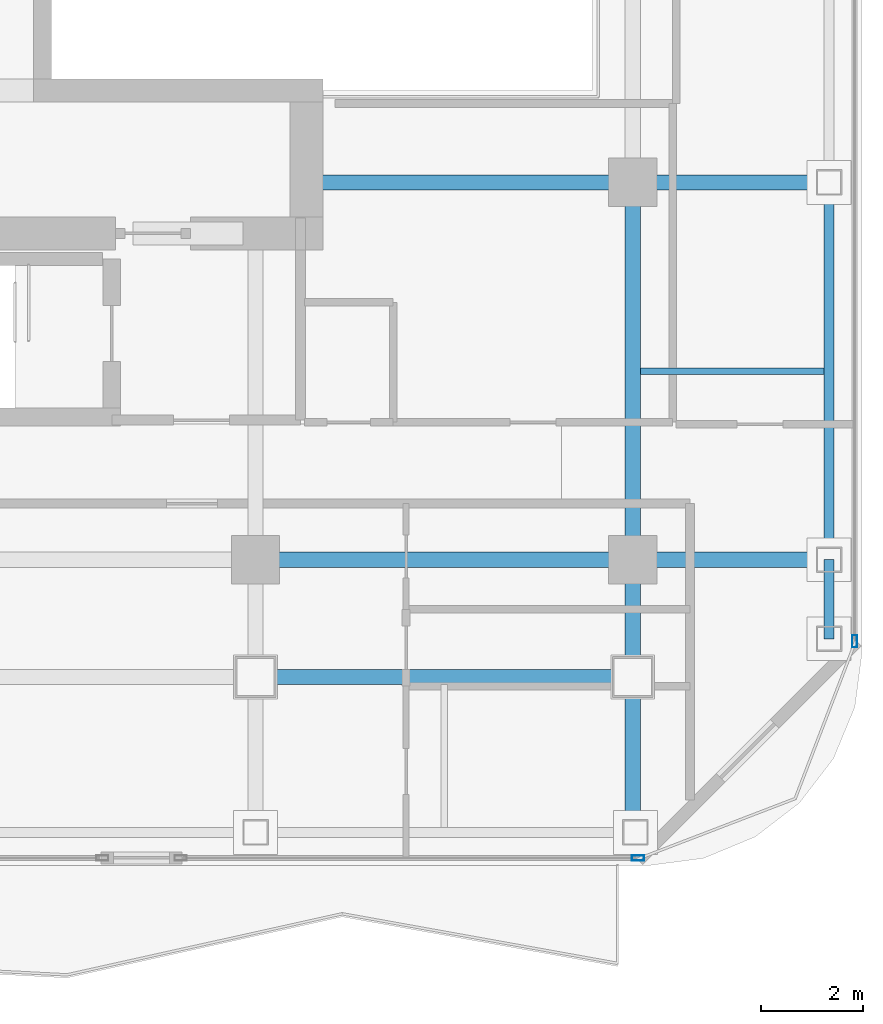
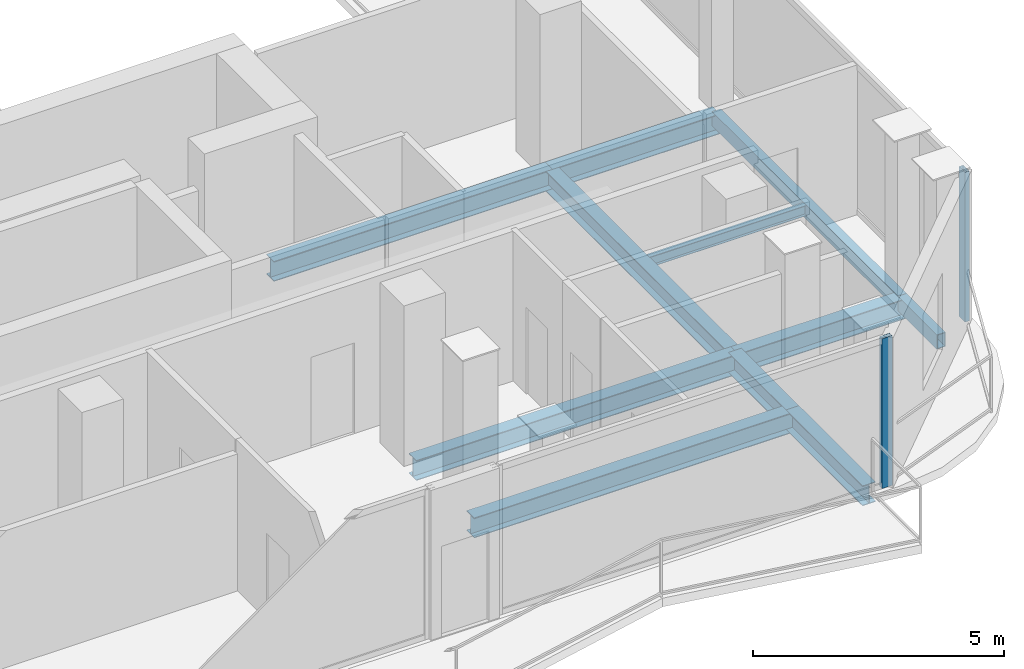
# One storey, part 7 of 22: 11 beams, 2 members, 2 elements without a shape of their own.
"""IFC4 building model written with IfcOpenShell, lengths in metres."""

from ifc_helpers import new_model, si_unit, direction, frame, origin, origin_2d, place, context, subcontext, project, spatial, hollow_rectangle, i_section, extrude, material, layer, layer_set, material_profile, profile_set, type_object, element, aggregate, save


model = new_model("IFC4")

# Units and contexts
model_context = context("Model", 3, precision=1e-05, world=origin(), true_north=direction((0.0, 1.0)))
body_context = subcontext(model_context, "Body", "Model", "MODEL_VIEW")
ifc_project = project(units=[si_unit("LENGTHUNIT", "METRE"), si_unit("AREAUNIT", "SQUARE_METRE"), si_unit("VOLUMEUNIT", "CUBIC_METRE"), si_unit("PLANEANGLEUNIT", "RADIAN"), si_unit("MASSUNIT", "GRAM", prefix="KILO")], contexts=[model_context])

# Site, building, storey
site_placement = place(None, origin())
site = spatial("IfcSite", under=ifc_project, at=site_placement, CompositionType="ELEMENT")
building_placement = place(site_placement, origin())
building = spatial("IfcBuilding", under=site, at=building_placement, Name="Khorvyn Point Tower", CompositionType="ELEMENT")
storey_placement = place(building_placement, frame((0.0, 0.0, 309.300048828125)))
storey = spatial("IfcBuildingStorey", under=building, at=storey_placement, Name="L76", CompositionType="ELEMENT", Elevation=309.300048828125)

# Curtain wall, member
ifc_material_1 = material(Name="Anodised aluminium 6063-T6 and laminated Low-E glass", Category="aluminium")
ifc_layer = layer(ifc_material_1, 0.18994140625)
ifc_layer_set = layer_set([ifc_layer], Name="Stick-Built High-Wind Curtain Wall CW-SYS-04")
curtain_wall_type = type_object("IfcCurtainWallType", Name="Stick-Built High-Wind Curtain Wall CW-SYS-04", PredefinedType="NOTDEFINED", material=ifc_layer_set)
curtain_wall_1_placement = place(storey_placement, origin())
curtain_wall_1 = element("IfcCurtainWall", 1, at=curtain_wall_1_placement, inside=storey, type_object=curtain_wall_type, Name="Curtain Wall", PredefinedType="NOTDEFINED")
ifc_material_2 = material(Name="Anodised aluminium 6063-T6", Category="aluminium")
ifc_material_profile_1 = material_profile(ifc_material_2, hollow_rectangle(XDim=0.10009765625, YDim=0.239990234375, WallThickness=0.0048828125, at=origin_2d()))
ifc_profile_set_1 = profile_set([ifc_material_profile_1], Name="Anodised aluminium 6063-T6 ALU-MUL-100x240")
member_type = type_object("IfcMemberType", Name="Anodised Aluminium 6063-T6 Mullion ALU-MUL-100x240", PredefinedType="MULLION", material=ifc_profile_set_1)
member_1_placement = place(storey_placement, frame((14.89990234375, -20.64990234375, 0.0), z_axis=(0.0, 0.0, 1.0), x_axis=(0.0, -1.0, 0.0)))
member_1 = element("IfcMember", 2, at=member_1_placement, type_object=member_type, Name="Transom", PredefinedType="MULLION", context=body_context, shape_type="SweptSolid", body=[
    extrude(hollow_rectangle(XDim=0.10009765625, YDim=0.239990234375, WallThickness=0.0048828125, at=origin_2d()), origin(), (0.0, 0.0, 1.0), 3.639892578125),
])
aggregate(curtain_wall_1, [member_1])

curtain_wall_2_placement = place(storey_placement, origin())
curtain_wall_2 = element("IfcCurtainWall", 3, at=curtain_wall_2_placement, inside=storey, type_object=curtain_wall_type, Name="Curtain Wall", PredefinedType="NOTDEFINED")
member_2_placement = place(storey_placement, frame((19.14990234375, -16.39990234375, 0.0), z_axis=(0.0, 0.0, 1.0), x_axis=(1.0, 0.0, 0.0)))
member_2 = element("IfcMember", 4, at=member_2_placement, type_object=member_type, Name="Transom", PredefinedType="MULLION", context=body_context, shape_type="SweptSolid", body=[
    extrude(hollow_rectangle(XDim=0.10009765625, YDim=0.239990234375, WallThickness=0.0048828125, at=origin_2d()), origin(), (0.0, 0.0, 1.0), 3.639892578125),
])
aggregate(curtain_wall_2, [member_2])

# Beams
ifc_material_3 = material(Name="Steel S355", Category="steel")
ifc_material_profile_2 = material_profile(ifc_material_3, i_section(OverallWidth=0.125, OverallDepth=0.25, WebThickness=0.006103515625, FlangeThickness=0.009033203125, at=origin_2d()))
ifc_profile_set_2 = profile_set([ifc_material_profile_2], Name="Steel S355 H250x125x6x9")
beam_type_1 = type_object("IfcBeamType", Name="Steel S355 Joist H250x125x6x9", PredefinedType="JOIST", material=ifc_profile_set_2)
beam_1_placement = place(storey_placement, frame((14.949951171875, -11.10009765625, -0.344970703125), z_axis=(1.0, 0.0, 0.0), x_axis=(0.0, 1.0, 0.0)))
element("IfcBeam", 5, at=beam_1_placement, inside=storey, type_object=beam_type_1, Name="Beam", PredefinedType="JOIST", context=body_context, shape_type="SweptSolid", body=[
    extrude(i_section(OverallWidth=0.125, OverallDepth=0.25, WebThickness=0.006103515625, FlangeThickness=0.009033203125, at=origin_2d()), origin(), (0.0, 0.0, 1.0), 3.60009765625),
])
ifc_material_profile_3 = material_profile(ifc_material_3, i_section(OverallWidth=0.300048828125, OverallDepth=0.488037109375, WebThickness=0.010986328125, FlangeThickness=0.01806640625, at=origin_2d()))
ifc_profile_set_3 = profile_set([ifc_material_profile_3], Name="Steel S355 H488x300x11x18")
beam_type_2 = type_object("IfcBeamType", Name="Steel S355 Spandrel H488x300x11x18", PredefinedType="SPANDREL", material=ifc_profile_set_3)
beam_2_placement = place(storey_placement, frame((7.39990234375, -14.800048828125, -0.464111328125), z_axis=(1.0, 0.0, 0.0), x_axis=(0.0, 1.0, 0.0)))
element("IfcBeam", 6, at=beam_2_placement, inside=storey, type_object=beam_type_2, Name="Beam", PredefinedType="SPANDREL", context=body_context, shape_type="SweptSolid", body=[
    extrude(i_section(OverallWidth=0.300048828125, OverallDepth=0.488037109375, WebThickness=0.010986328125, FlangeThickness=0.01806640625, at=origin_2d()), origin(), (0.0, 0.0, 1.0), 7.400146484375),
])
beam_3_placement = place(storey_placement, frame((14.800048828125, -14.800048828125, -0.464111328125), z_axis=(1.0, 0.0, 0.0), x_axis=(0.0, 1.0, 0.0)))
element("IfcBeam", 7, at=beam_3_placement, inside=storey, type_object=beam_type_2, Name="Beam", PredefinedType="SPANDREL", context=body_context, shape_type="SweptSolid", body=[
    extrude(i_section(OverallWidth=0.300048828125, OverallDepth=0.488037109375, WebThickness=0.010986328125, FlangeThickness=0.01806640625, at=origin_2d()), origin(), (0.0, 0.0, 1.0), 3.849853515625),
])
beam_4_placement = place(storey_placement, frame((8.39990234375, -7.39990234375, -0.464111328125), z_axis=(1.0, 0.0, 0.0), x_axis=(0.0, 1.0, 0.0)))
element("IfcBeam", 8, at=beam_4_placement, inside=storey, type_object=beam_type_2, Name="Beam", PredefinedType="SPANDREL", context=body_context, shape_type="SweptSolid", body=[
    extrude(i_section(OverallWidth=0.300048828125, OverallDepth=0.488037109375, WebThickness=0.010986328125, FlangeThickness=0.01806640625, at=origin_2d()), origin(), (0.0, 0.0, 1.0), 6.400146484375),
])
beam_5_placement = place(storey_placement, frame((14.800048828125, -7.39990234375, -0.464111328125), z_axis=(1.0, 0.0, 0.0), x_axis=(0.0, 1.0, 0.0)))
element("IfcBeam", 9, at=beam_5_placement, inside=storey, type_object=beam_type_2, Name="Beam", PredefinedType="SPANDREL", context=body_context, shape_type="SweptSolid", body=[
    extrude(i_section(OverallWidth=0.300048828125, OverallDepth=0.488037109375, WebThickness=0.010986328125, FlangeThickness=0.01806640625, at=origin_2d()), origin(), (0.0, 0.0, 1.0), 3.849853515625),
])
beam_6_placement = place(storey_placement, frame((7.39990234375, -17.10009765625, -0.464111328125), z_axis=(1.0, 0.0, 0.0), x_axis=(0.0, 1.0, 0.0)))
element("IfcBeam", 10, at=beam_6_placement, inside=storey, type_object=beam_type_2, Name="Beam", PredefinedType="SPANDREL", context=body_context, shape_type="SweptSolid", body=[
    extrude(i_section(OverallWidth=0.300048828125, OverallDepth=0.488037109375, WebThickness=0.010986328125, FlangeThickness=0.01806640625, at=origin_2d()), origin(), (0.0, 0.0, 1.0), 7.400146484375),
])
beam_7_placement = place(storey_placement, frame((14.800048828125, -20.14990234375, -0.464111328125), z_axis=(0.0, 1.0, 0.0), x_axis=(-1.0, 0.0, 0.0)))
element("IfcBeam", 11, at=beam_7_placement, inside=storey, type_object=beam_type_2, Name="Beam", PredefinedType="SPANDREL", context=body_context, shape_type="SweptSolid", body=[
    extrude(i_section(OverallWidth=0.300048828125, OverallDepth=0.488037109375, WebThickness=0.010986328125, FlangeThickness=0.01806640625, at=origin_2d()), origin(), (0.0, 0.0, 1.0), 3.0498046875),
])
beam_8_placement = place(storey_placement, frame((14.800048828125, -17.10009765625, -0.464111328125), z_axis=(0.0, 1.0, 0.0), x_axis=(-1.0, 0.0, 0.0)))
element("IfcBeam", 12, at=beam_8_placement, inside=storey, type_object=beam_type_2, Name="Beam", PredefinedType="SPANDREL", context=body_context, shape_type="SweptSolid", body=[
    extrude(i_section(OverallWidth=0.300048828125, OverallDepth=0.488037109375, WebThickness=0.010986328125, FlangeThickness=0.01806640625, at=origin_2d()), origin(), (0.0, 0.0, 1.0), 2.300048828125),
])
beam_9_placement = place(storey_placement, frame((14.800048828125, -14.800048828125, -0.464111328125), z_axis=(0.0, 1.0, 0.0), x_axis=(-1.0, 0.0, 0.0)))
element("IfcBeam", 13, at=beam_9_placement, inside=storey, type_object=beam_type_2, Name="Beam", PredefinedType="SPANDREL", context=body_context, shape_type="SweptSolid", body=[
    extrude(i_section(OverallWidth=0.300048828125, OverallDepth=0.488037109375, WebThickness=0.010986328125, FlangeThickness=0.01806640625, at=origin_2d()), origin(), (0.0, 0.0, 1.0), 7.400146484375),
])
ifc_material_profile_4 = material_profile(ifc_material_3, hollow_rectangle(XDim=0.199951171875, YDim=0.35009765625, WallThickness=0.013916015625, at=origin_2d()))
ifc_profile_set_4 = profile_set([ifc_material_profile_4], Name="Steel S355 RHS350x200x14")
beam_type_3 = type_object("IfcBeamType", Name="Steel S355 Spandrel RHS350x200x14", PredefinedType="SPANDREL", material=ifc_profile_set_4)
beam_10_placement = place(storey_placement, frame((18.64990234375, -16.35009765625, -0.39501953125), z_axis=(0.0, 1.0, 0.0), x_axis=(-1.0, 0.0, 0.0)))
element("IfcBeam", 14, at=beam_10_placement, inside=storey, type_object=beam_type_3, Name="Beam", PredefinedType="SPANDREL", context=body_context, shape_type="SweptSolid", body=[
    extrude(hollow_rectangle(XDim=0.199951171875, YDim=0.35009765625, WallThickness=0.013916015625, at=origin_2d()), origin(), (0.0, 0.0, 1.0), 1.550048828125),
])
beam_11_placement = place(storey_placement, frame((18.64990234375, -14.800048828125, -0.39501953125), z_axis=(0.0, 1.0, 0.0), x_axis=(-1.0, 0.0, 0.0)))
element("IfcBeam", 15, at=beam_11_placement, inside=storey, type_object=beam_type_3, Name="Beam", PredefinedType="SPANDREL", context=body_context, shape_type="SweptSolid", body=[
    extrude(hollow_rectangle(XDim=0.199951171875, YDim=0.35009765625, WallThickness=0.013916015625, at=origin_2d()), origin(), (0.0, 0.0, 1.0), 7.400146484375),
])

save(model, "model.ifc")
